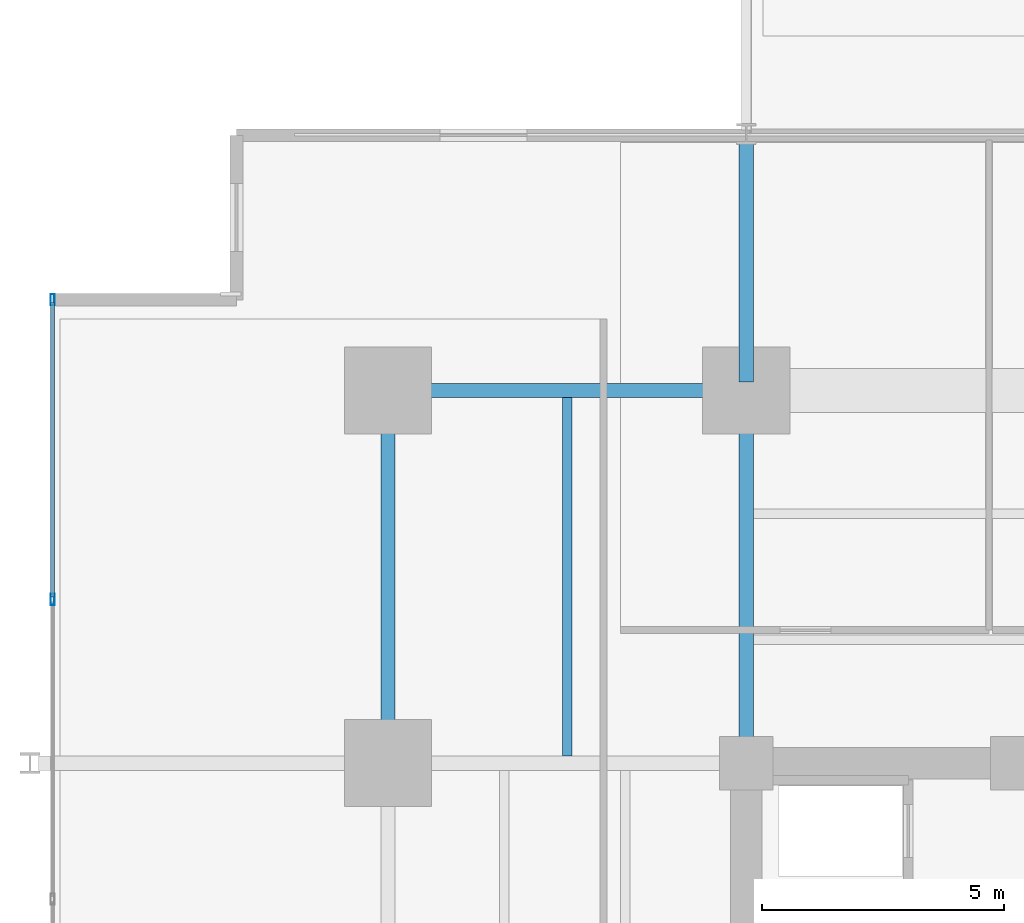
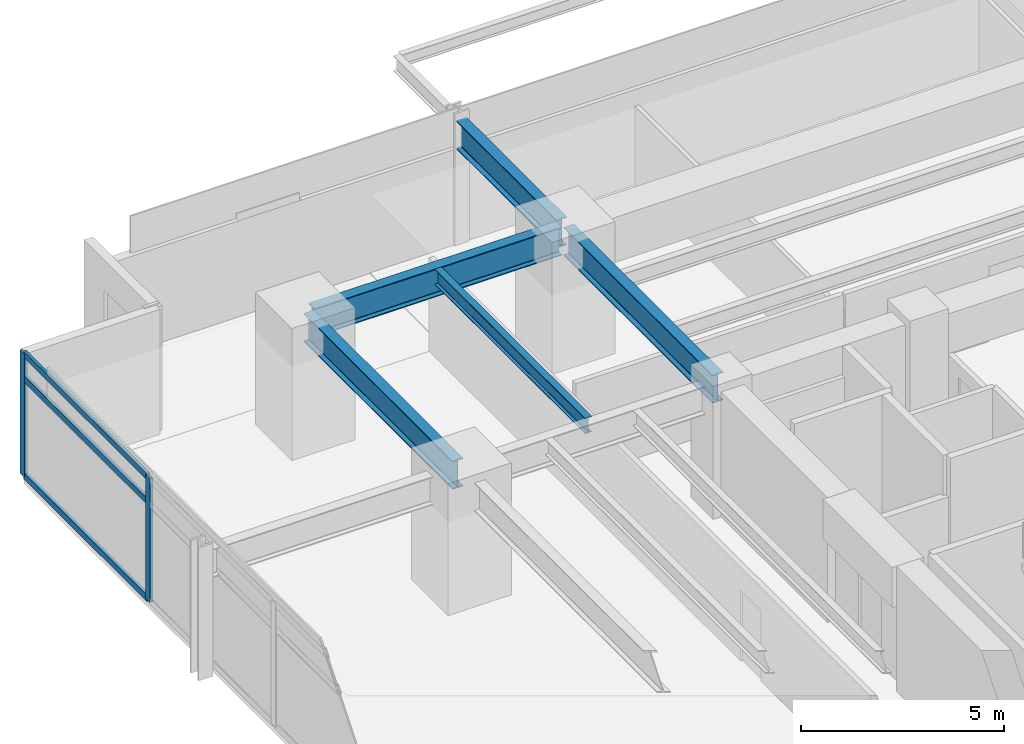
# One storey, part 11 of 22: 5 beams, 5 members, 1 element without a shape of its own.
"""IFC4 building model written with IfcOpenShell, lengths in metres."""

from ifc_helpers import new_model, si_unit, direction, frame, origin, origin_2d, place, context, subcontext, project, spatial, hollow_rectangle, i_section, extrude, material, material_profile, profile_set, type_object, element, aggregate, save


model = new_model("IFC4")

# Units and contexts
model_context = context("Model", 3, precision=1e-05, world=origin(), true_north=direction((0.0, 1.0)))
body_context = subcontext(model_context, "Body", "Model", "MODEL_VIEW")
ifc_project = project(units=[si_unit("LENGTHUNIT", "METRE"), si_unit("AREAUNIT", "SQUARE_METRE"), si_unit("VOLUMEUNIT", "CUBIC_METRE"), si_unit("PLANEANGLEUNIT", "RADIAN"), si_unit("MASSUNIT", "GRAM", prefix="KILO")], contexts=[model_context])

# Site, building, storey
site_placement = place(None, origin())
site = spatial("IfcSite", under=ifc_project, at=site_placement, CompositionType="ELEMENT")
building_placement = place(site_placement, origin())
building = spatial("IfcBuilding", under=site, at=building_placement, Name="Kovane Verandah Tower", CompositionType="ELEMENT")
storey_placement = place(building_placement, frame((0.0, 0.0, 43.60009765625)))
storey = spatial("IfcBuildingStorey", under=building, at=storey_placement, Name="L09", CompositionType="ELEMENT", Elevation=43.60009765625)

# Beams
ifc_material_1 = material(Name="Steel S355", Category="steel")
ifc_material_profile_1 = material_profile(ifc_material_1, i_section(OverallWidth=0.293701171875, OverallDepth=0.850830078125, WebThickness=0.01611328125, FlangeThickness=0.02685546875, FilletRadius=0.017822265625, at=origin_2d()), Name="UB838x292x226")
ifc_profile_set_1 = profile_set([ifc_material_profile_1], Name="Steel S355")
beam_type_1 = type_object("IfcBeamType", Name="BM-UB838x226", PredefinedType="BEAM", material=ifc_profile_set_1)
beam_1_placement = place(storey_placement, frame((21.780029296875, 44.199951171875, 3.33447265625), z_axis=(1.0, 0.0, 0.0), x_axis=(0.0, 1.0, 0.0)))
element("IfcBeam", 1, at=beam_1_placement, inside=storey, type_object=beam_type_1, Name="L09 Primary Tower Girder G-RN1", PredefinedType="BEAM", context=body_context, shape_type="SweptSolid", body=[
    extrude(i_section(OverallWidth=0.293701171875, OverallDepth=0.850830078125, WebThickness=0.01611328125, FlangeThickness=0.02685546875, FilletRadius=0.017822265625, at=origin_2d()), origin(), (0.0, 0.0, 1.0), 7.0400390625),
])
for number, where, z_axis, x_axis, name in (
    (2, (21.60009765625, 36.679931640625, 3.33447265625), (0.0, 1.0, 0.0), (-1.0, 0.0, 0.0), "L09 Primary Tower Girder G-RW3"),
    (3, (29.0, 36.679931640625, 3.33447265625), (0.0, 1.0, 0.0), (-1.0, 0.0, 0.0), "L09 Primary Tower Girder G-N1"),
):
    element("IfcBeam", number, at=place(storey_placement, frame(where, z_axis=z_axis, x_axis=x_axis)), inside=storey, type_object=beam_type_1, Name=name, PredefinedType="BEAM", context=body_context, shape_type="SweptSolid", body=[
        extrude(i_section(OverallWidth=0.293701171875, OverallDepth=0.850830078125, WebThickness=0.01611328125, FlangeThickness=0.02685546875, FilletRadius=0.017822265625, at=origin_2d()), origin(), (0.0, 0.0, 1.0), 7.340087890625),
    ])
beam_2_placement = place(storey_placement, frame((29.0, 44.3798828125, 3.33447265625), z_axis=(0.0, 1.0, 0.0), x_axis=(-1.0, 0.0, 0.0)))
element("IfcBeam", 4, at=beam_2_placement, inside=storey, type_object=beam_type_1, Name="L09 Primary Tower Girder G-VN1", PredefinedType="BEAM", context=body_context, shape_type="SweptSolid", body=[
    extrude(i_section(OverallWidth=0.293701171875, OverallDepth=0.850830078125, WebThickness=0.01611328125, FlangeThickness=0.02685546875, FilletRadius=0.017822265625, at=origin_2d()), origin(), (0.0, 0.0, 1.0), 4.940185546875),
])

# Curtain wall, members
ifc_material_2 = material(Name="Champagne Anodised Aluminium Frame with Low-E Clear Laminated Glass", Category="aluminium")
curtain_wall_type = type_object("IfcCurtainWallType", Name="CW-SYS-02-LOW", PredefinedType="NOTDEFINED", material=ifc_material_2)
curtain_wall_placement = place(storey_placement, origin())
curtain_wall = element("IfcCurtainWall", 5, at=curtain_wall_placement, inside=storey, type_object=curtain_wall_type, Name="L09 W Unitised Curtain Wall", PredefinedType="NOTDEFINED")
ifc_material_3 = material(Name="Champagne Anodised Aluminium 6063-T6", Category="aluminium")
ifc_material_profile_2 = material_profile(ifc_material_3, hollow_rectangle(XDim=0.0849609375, YDim=0.22998046875, WallThickness=0.00390625, at=origin_2d()), Name="AL85x230x4")
ifc_profile_set_2 = profile_set([ifc_material_profile_2], Name="Champagne Anodised Aluminium 6063-T6")
member_type_1 = type_object("IfcMemberType", Name="CW-MUL-85x230", PredefinedType="MULLION", material=ifc_profile_set_2)
member_1_placement = place(storey_placement, frame((14.6669921875, 46.072998046875, 0.02001953125), z_axis=(0.0, 0.0, 1.0), x_axis=(-1.0, 0.0, 0.0)))
member_1 = element("IfcMember", 6, at=member_1_placement, type_object=member_type_1, Name="L09 W Unitised Curtain Wall Mullion 1", PredefinedType="MULLION", context=body_context, shape_type="SweptSolid", body=[
    extrude(hollow_rectangle(XDim=0.0849609375, YDim=0.22998046875, WallThickness=0.00390625, at=origin_2d()), origin(), (0.0, 0.0, 1.0), 3.719970703125),
])
member_2_placement = place(storey_placement, frame((14.6669921875, 39.882080078125, 0.02001953125), z_axis=(0.0, 0.0, 1.0), x_axis=(-1.0, 0.0, 0.0)))
member_2 = element("IfcMember", 7, at=member_2_placement, type_object=member_type_1, Name="L09 W Unitised Curtain Wall Mullion 2", PredefinedType="MULLION", context=body_context, shape_type="SweptSolid", body=[
    extrude(hollow_rectangle(XDim=0.0849609375, YDim=0.22998046875, WallThickness=0.00390625, at=origin_2d()), origin(), (0.0, 0.0, 1.0), 3.719970703125),
])
ifc_material_profile_3 = material_profile(ifc_material_3, hollow_rectangle(XDim=0.0849609375, YDim=0.18994140625, WallThickness=0.00390625, at=origin_2d()), Name="AL85x190x4")
ifc_profile_set_3 = profile_set([ifc_material_profile_3], Name="Champagne Anodised Aluminium 6063-T6")
member_type_2 = type_object("IfcMemberType", Name="CW-TRN-85x190", PredefinedType="USERDEFINED", material=ifc_profile_set_3)
member_3_placement = place(storey_placement, frame((14.6669921875, 46.023193359375, 0.0498046875), z_axis=(0.0, -1.0, 0.0), x_axis=(1.0, 0.0, 0.0)))
member_3 = element("IfcMember", 8, at=member_3_placement, type_object=member_type_2, Name="L09 W Unitised Curtain Wall Transom TB Bay 1", ObjectType="TRANSOM", PredefinedType="USERDEFINED", context=body_context, shape_type="SweptSolid", body=[
    extrude(hollow_rectangle(XDim=0.0849609375, YDim=0.18994140625, WallThickness=0.00390625, at=origin_2d()), origin(), (0.0, 0.0, 1.0), 6.091064453125),
])
member_4_placement = place(storey_placement, frame((14.6669921875, 46.023193359375, 2.97998046875), z_axis=(0.0, -1.0, 0.0), x_axis=(1.0, 0.0, 0.0)))
member_4 = element("IfcMember", 9, at=member_4_placement, type_object=member_type_2, Name="L09 W Unitised Curtain Wall Transom TM Bay 1", ObjectType="TRANSOM", PredefinedType="USERDEFINED", context=body_context, shape_type="SweptSolid", body=[
    extrude(hollow_rectangle(XDim=0.0849609375, YDim=0.18994140625, WallThickness=0.00390625, at=origin_2d()), origin(), (0.0, 0.0, 1.0), 6.091064453125),
])
member_5_placement = place(storey_placement, frame((14.6669921875, 46.023193359375, 3.7099609375), z_axis=(0.0, -1.0, 0.0), x_axis=(1.0, 0.0, 0.0)))
member_5 = element("IfcMember", 10, at=member_5_placement, type_object=member_type_2, Name="L09 W Unitised Curtain Wall Transom TT Bay 1", ObjectType="TRANSOM", PredefinedType="USERDEFINED", context=body_context, shape_type="SweptSolid", body=[
    extrude(hollow_rectangle(XDim=0.0849609375, YDim=0.18994140625, WallThickness=0.00390625, at=origin_2d()), origin(), (0.0, 0.0, 1.0), 6.091064453125),
])
aggregate(curtain_wall, [member_1, member_2, member_3, member_4, member_5])

# Beam
ifc_material_profile_4 = material_profile(ifc_material_1, i_section(OverallWidth=0.19287109375, OverallDepth=0.46728515625, WebThickness=0.011474609375, FlangeThickness=0.01953125, FilletRadius=0.01025390625, at=origin_2d()), Name="UB457x191x98")
ifc_profile_set_4 = profile_set([ifc_material_profile_4], Name="Steel S355")
beam_type_2 = type_object("IfcBeamType", Name="JST-UB457x98", PredefinedType="JOIST", material=ifc_profile_set_4)
beam_3_placement = place(storey_placement, frame((25.300048828125, 36.64501953125, 3.5263671875), z_axis=(0.0, 1.0, 0.0), x_axis=(-1.0, 0.0, 0.0)))
element("IfcBeam", 11, at=beam_3_placement, inside=storey, type_object=beam_type_2, Name="L09 Secondary Composite Joist J-NW1", PredefinedType="JOIST", context=body_context, shape_type="SweptSolid", body=[
    extrude(i_section(OverallWidth=0.19287109375, OverallDepth=0.46728515625, WebThickness=0.011474609375, FlangeThickness=0.01953125, FilletRadius=0.01025390625, at=origin_2d()), origin(), (0.0, 0.0, 1.0), 7.41015625),
])

save(model, "model.ifc")
